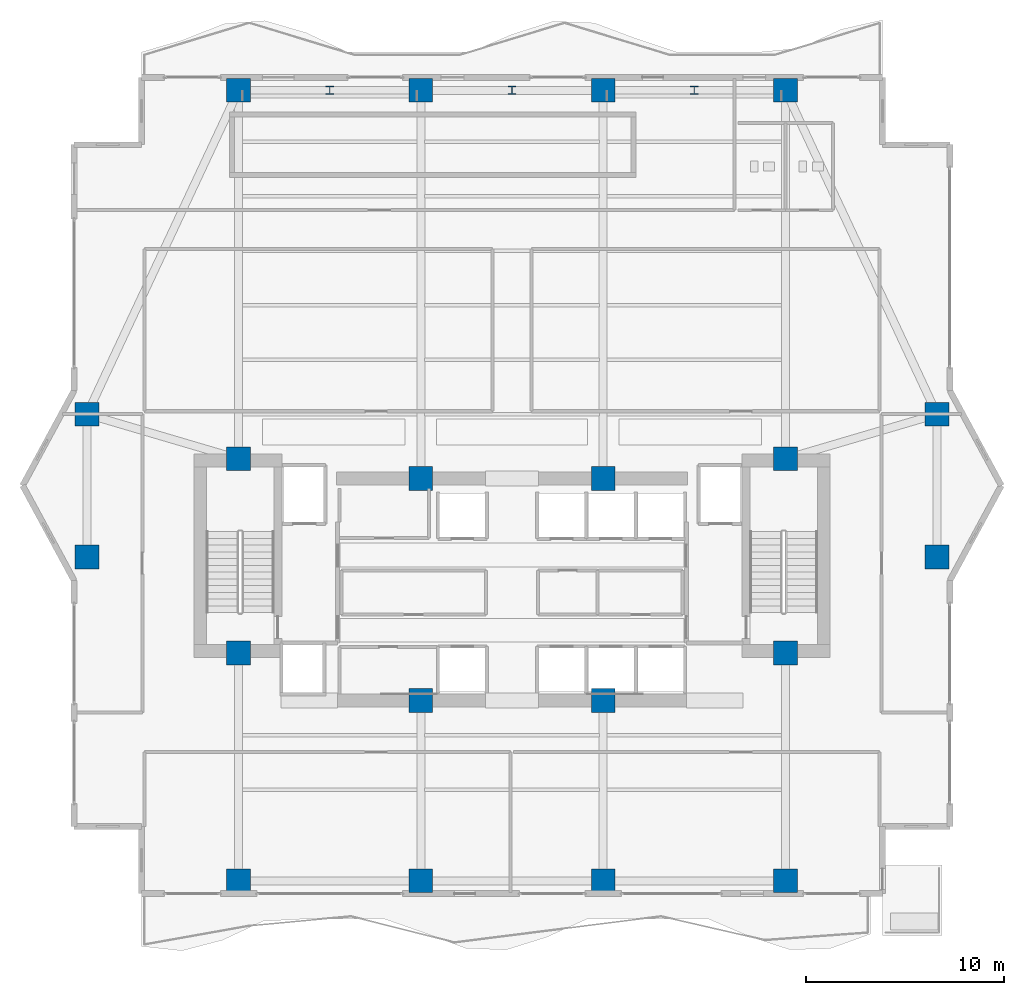
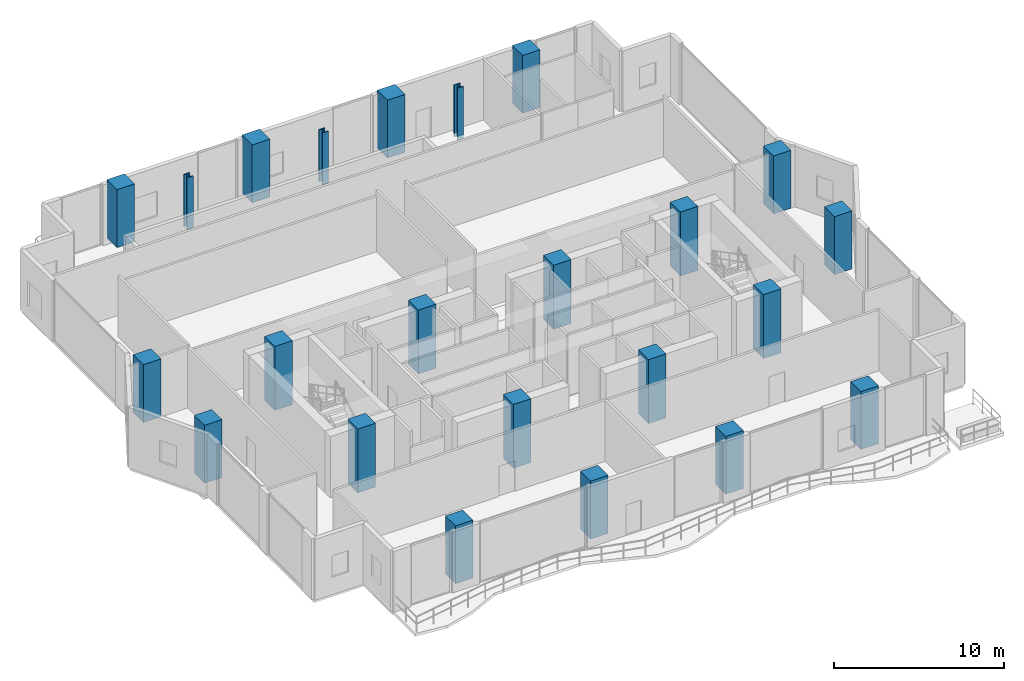
# One storey, part 1 of 33: 23 columns.
"""IFC4 building model written with IfcOpenShell, lengths in metres."""

from ifc_helpers import new_model, si_unit, direction, frame, origin, origin_2d, place, context, subcontext, project, spatial, rectangle, i_section, extrude, material, material_profile, profile_set, type_object, element, save


model = new_model("IFC4")

# Units and contexts
model_context = context("Model", 3, precision=1e-05, world=origin(), true_north=direction((0.0, 1.0)))
body_context = subcontext(model_context, "Body", "Model", "MODEL_VIEW")
ifc_project = project(units=[si_unit("LENGTHUNIT", "METRE"), si_unit("AREAUNIT", "SQUARE_METRE"), si_unit("VOLUMEUNIT", "CUBIC_METRE"), si_unit("PLANEANGLEUNIT", "RADIAN"), si_unit("MASSUNIT", "GRAM", prefix="KILO")], contexts=[model_context])

# Site, building, storey
site_placement = place(None, origin())
site = spatial("IfcSite", under=ifc_project, at=site_placement, CompositionType="ELEMENT")
building_placement = place(site_placement, origin())
building = spatial("IfcBuilding", under=site, at=building_placement, Name="Zuhayl Quay Hotel", CompositionType="ELEMENT")
storey_placement = place(building_placement, frame((0.0, 0.0, 168.199951171875)))
storey = spatial("IfcBuildingStorey", under=building, at=storey_placement, Name="L42", CompositionType="ELEMENT", Elevation=168.199951171875)

# Columns
ifc_material_1 = material(Name="Concrete C60/75", Category="concrete")
ifc_material_profile_1 = material_profile(ifc_material_1, rectangle(XDim=1.199951171875, YDim=1.199951171875, at=origin_2d()), Name="RC1200X1200")
ifc_profile_set_1 = profile_set([ifc_material_profile_1], Name="Concrete C60/75")
column_type_1 = type_object("IfcColumnType", Name="CL_CC2_1200", PredefinedType="COLUMN", material=ifc_profile_set_1)
for number, where, z_axis, x_axis, name in (
    (1, (-13.800048828125, 14.35009765625, 0.0), (0.0, 0.0, 1.0), (1.0, 0.0, 0.0), "L42 Core Column CC_NW"),
    (2, (-4.60009765625, 13.35009765625, 0.0), (0.0, 0.0, 1.0), (1.0, 0.0, 0.0), "L42 Core Column CC_CNW"),
    (3, (4.60009765625, 13.35009765625, 0.0), (0.0, 0.0, 1.0), (1.0, 0.0, 0.0), "L42 Core Column CC_CNE"),
    (4, (13.800048828125, 14.35009765625, 0.0), (0.0, 0.0, 1.0), (1.0, 0.0, 0.0), "L42 Core Column CC_NE"),
    (5, (-13.800048828125, 4.550048828125, 0.0), (0.0, 0.0, 1.0), (1.0, 0.0, 0.0), "L42 Core Column CC_SW"),
    (6, (-4.60009765625, 2.14990234375, 0.0), (0.0, 0.0, 1.0), (1.0, 0.0, 0.0), "L42 Core Column CC_CSW"),
    (7, (4.60009765625, 2.14990234375, 0.0), (0.0, 0.0, 1.0), (1.0, 0.0, 0.0), "L42 Core Column CC_CSE"),
    (8, (13.800048828125, 4.550048828125, 0.0), (0.0, 0.0, 1.0), (1.0, 0.0, 0.0), "L42 Core Column CC_SE"),
):
    element("IfcColumn", number, at=place(storey_placement, frame(where, z_axis=z_axis, x_axis=x_axis)), inside=storey, type_object=column_type_1, Name=name, PredefinedType="COLUMN", context=body_context, shape_type="SweptSolid", body=[
        extrude(rectangle(XDim=1.199951171875, YDim=1.199951171875, at=origin_2d()), origin(), (0.0, 0.0, 1.0), 4.60009765625),
    ])
ifc_material_profile_2 = material_profile(ifc_material_1, rectangle(XDim=1.199951171875, YDim=1.199951171875, at=origin_2d()), Name="RC1200X1200")
ifc_profile_set_2 = profile_set([ifc_material_profile_2], Name="Concrete C60/75")
column_type_2 = type_object("IfcColumnType", Name="CL_MC3_1200", PredefinedType="COLUMN", material=ifc_profile_set_2)
for number, where, z_axis, x_axis, name in (
    (9, (-13.800048828125, -6.949951171875, 0.429931640625), (0.0, 0.0, 1.0), (1.0, 0.0, 0.0), "L42 Mega-Column MC_S1"),
    (10, (-4.60009765625, -6.949951171875, 0.429931640625), (0.0, 0.0, 1.0), (1.0, 0.0, 0.0), "L42 Mega-Column MC_S2"),
    (11, (4.60009765625, -6.949951171875, 0.429931640625), (0.0, 0.0, 1.0), (1.0, 0.0, 0.0), "L42 Mega-Column MC_S3"),
    (12, (13.800048828125, -6.949951171875, 0.429931640625), (0.0, 0.0, 1.0), (1.0, 0.0, 0.0), "L42 Mega-Column MC_S4"),
    (13, (-13.800048828125, 32.949951171875, 0.429931640625), (0.0, 0.0, 1.0), (1.0, 0.0, 0.0), "L42 Mega-Column MC_N1"),
    (14, (-4.60009765625, 32.949951171875, 0.429931640625), (0.0, 0.0, 1.0), (1.0, 0.0, 0.0), "L42 Mega-Column MC_N2"),
    (15, (4.60009765625, 32.949951171875, 0.429931640625), (0.0, 0.0, 1.0), (1.0, 0.0, 0.0), "L42 Mega-Column MC_N3"),
    (16, (13.800048828125, 32.949951171875, 0.429931640625), (0.0, 0.0, 1.0), (1.0, 0.0, 0.0), "L42 Mega-Column MC_N4"),
    (17, (-21.449951171875, 9.39990234375, 0.429931640625), (0.0, 0.0, 1.0), (1.0, 0.0, 0.0), "L42 Mega-Column MC_W1"),
    (18, (-21.449951171875, 16.60009765625, 0.429931640625), (0.0, 0.0, 1.0), (1.0, 0.0, 0.0), "L42 Mega-Column MC_W2"),
    (19, (21.449951171875, 9.39990234375, 0.429931640625), (0.0, 0.0, 1.0), (1.0, 0.0, 0.0), "L42 Mega-Column MC_E1"),
    (20, (21.449951171875, 16.60009765625, 0.429931640625), (0.0, 0.0, 1.0), (1.0, 0.0, 0.0), "L42 Mega-Column MC_E2"),
):
    element("IfcColumn", number, at=place(storey_placement, frame(where, z_axis=z_axis, x_axis=x_axis)), inside=storey, type_object=column_type_2, Name=name, PredefinedType="COLUMN", context=body_context, shape_type="SweptSolid", body=[
        extrude(rectangle(XDim=1.199951171875, YDim=1.199951171875, at=origin_2d()), origin(), (0.0, 0.0, 1.0), 4.170166015625),
    ])
ifc_material_2 = material(Name="Steel ASTM A913 Grade 65", Category="steel")
ifc_material_profile_3 = material_profile(ifc_material_2, i_section(OverallWidth=0.416015625, OverallDepth=0.445068359375, WebThickness=0.0390625, FlangeThickness=0.062744140625, at=origin_2d()), Name="W14X342")
ifc_profile_set_3 = profile_set([ifc_material_profile_3], Name="Steel ASTM A913 Grade 65")
column_type_3 = type_object("IfcColumnType", Name="CL_PIL_W14_342", PredefinedType="PILASTER", material=ifc_profile_set_3)
for number, where, z_axis, x_axis, name in (
    (21, (-9.199951171875, 32.949951171875, -0.260009765625), (0.0, 0.0, 1.0), (1.0, 0.0, 0.0), "L42 Sky-Lobby Facade Pilaster PL1-1"),
    (22, (0.0, 32.949951171875, -0.260009765625), (0.0, 0.0, 1.0), (1.0, 0.0, 0.0), "L42 Sky-Lobby Facade Pilaster PL1-2"),
    (23, (9.199951171875, 32.949951171875, -0.260009765625), (0.0, 0.0, 1.0), (1.0, 0.0, 0.0), "L42 Sky-Lobby Facade Pilaster PL1-3"),
):
    element("IfcColumn", number, at=place(storey_placement, frame(where, z_axis=z_axis, x_axis=x_axis)), inside=storey, type_object=column_type_3, Name=name, PredefinedType="PILASTER", context=body_context, shape_type="SweptSolid", body=[
        extrude(i_section(OverallWidth=0.416015625, OverallDepth=0.445068359375, WebThickness=0.0390625, FlangeThickness=0.062744140625, at=origin_2d()), origin(), (0.0, 0.0, 1.0), 3.739990234375),
    ])

save(model, "model.ifc")
